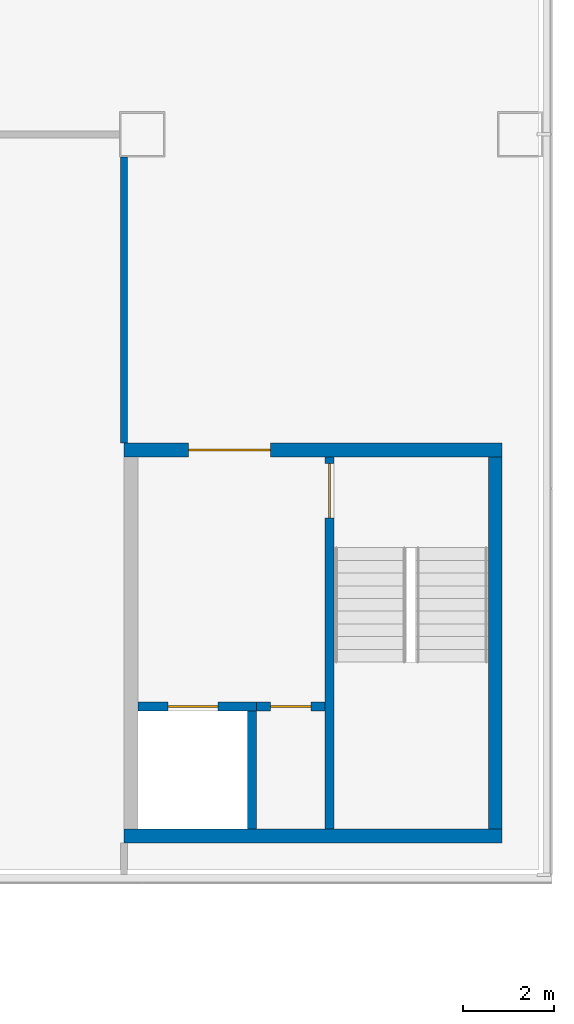
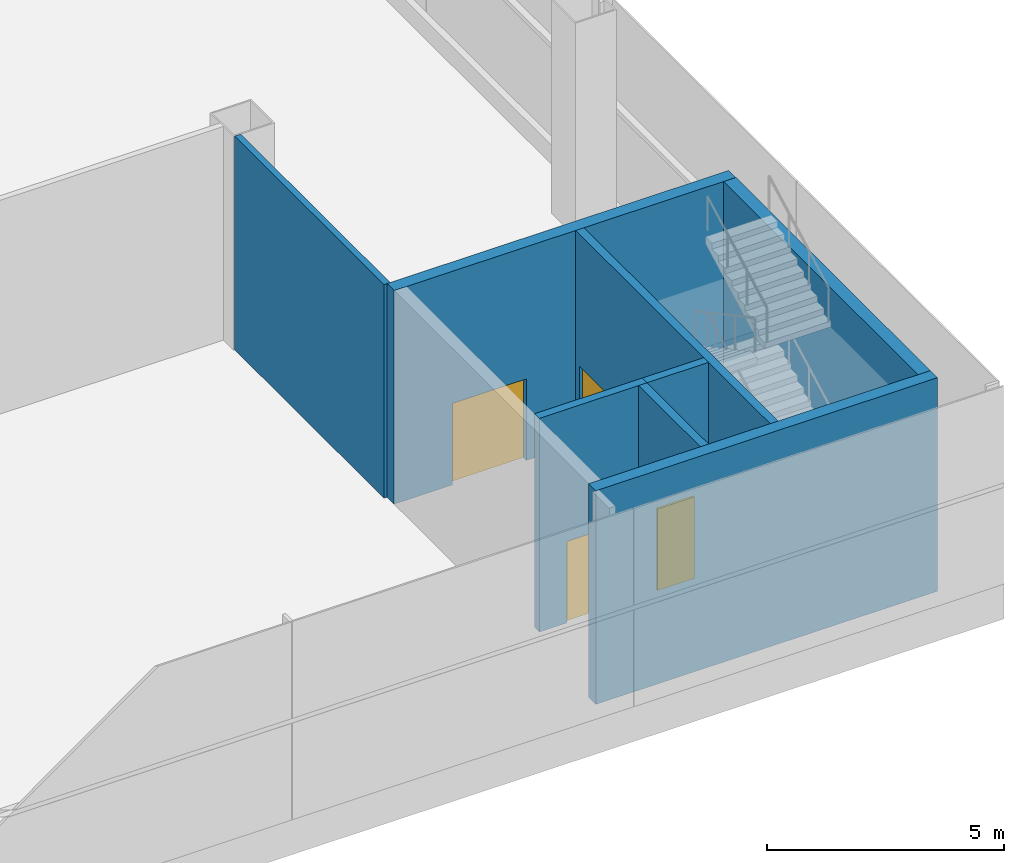
# One storey, part 39 of 100: 8 walls, 4 doors, 4 openings.
"""IFC4 building model written with IfcOpenShell, lengths in metres."""

from ifc_helpers import new_model, si_unit, direction, frame, frame_2d, origin, place, context, subcontext, project, spatial, rectangle, extrude, material, layer, layer_set, type_object, element, fill, save


model = new_model("IFC4")

# Units and contexts
model_context = context("Model", 3, precision=1e-05, world=origin(), true_north=direction((0.0, 1.0)))
body_context = subcontext(model_context, "Body", "Model", "MODEL_VIEW")
ifc_project = project(units=[si_unit("LENGTHUNIT", "METRE"), si_unit("AREAUNIT", "SQUARE_METRE"), si_unit("VOLUMEUNIT", "CUBIC_METRE"), si_unit("PLANEANGLEUNIT", "RADIAN"), si_unit("MASSUNIT", "GRAM", prefix="KILO")], contexts=[model_context])

# Site, building, storey
site_placement = place(None, origin())
site = spatial("IfcSite", under=ifc_project, at=site_placement, CompositionType="ELEMENT")
building_placement = place(site_placement, origin())
building = spatial("IfcBuilding", under=site, at=building_placement, Name="Hakoniwa Tower and Hamabe Station Hall", CompositionType="ELEMENT")
storey_placement = place(building_placement, frame((0.0, 0.0, 9.0)))
storey = spatial("IfcBuildingStorey", under=building, at=storey_placement, Name="L02", CompositionType="ELEMENT", Elevation=9.0)

# Wall, opening, door
ifc_material_1 = material(Name="Concrete block masonry fb10", Category="masonry")
ifc_layer_1 = layer(ifc_material_1, 0.199951171875)
ifc_layer_set_1 = layer_set([ifc_layer_1], Name="BLOCK WALL 200 EI 60")
wall_type_1 = type_object("IfcWallType", Name="BLOCK WALL 200 EI 60", PredefinedType="PARTITIONING", material=ifc_layer_set_1)
wall_1_placement = place(storey_placement, frame((164.85009765625, -20.39990234375, 0.0), z_axis=(0.0, 0.0, 1.0), x_axis=(-1.0, 0.0, 0.0)))
wall_1 = element("IfcWall", 1, at=wall_1_placement, inside=storey, type_object=wall_type_1, Name="Station riser room wall SC4 L02", PredefinedType="PARTITIONING", context=body_context, shape_type="SweptSolid", body=[
    extrude(rectangle(XDim=1.5, YDim=0.199951171875, at=frame_2d((0.75, 0.0))), origin(), (0.0, 0.0, 1.0), 5.5),
])
opening_1_placement = place(wall_1_placement, frame((0.300048828125, 0.0, 0.0)))
opening_1 = element("IfcOpeningElement", 2, at=opening_1_placement, cuts=wall_1, Name="Opening SD-L02-023", PredefinedType="OPENING", context=body_context, shape_type="SweptSolid", body=[
    extrude(rectangle(XDim=0.89990234375, YDim=2.10009765625, at=frame_2d((0.449951171875, 1.050048828125))), frame((0.0, 0.10986328125, 0.0), z_axis=(0.0, -1.0, 0.0), x_axis=(1.0, 0.0, 0.0)), (0.0, 0.0, 1.0), 0.219970703125),
])
ifc_material_2 = material(Name="Steel fire door", Category="steel")
door_type_1 = type_object("IfcDoorType", Name="FIRE DOOR 900X2100 FD30", OperationType="SINGLE_SWING_LEFT", PredefinedType="DOOR", material=ifc_material_2)
door_1_placement = place(opening_1_placement, origin())
door_1 = element("IfcDoor", 3, at=door_1_placement, inside=storey, type_object=door_type_1, Name="Door riser SC4", OperationType="SINGLE_SWING_LEFT", OverallHeight=2.10009765625, OverallWidth=0.89990234375, PredefinedType="DOOR", context=body_context, shape_type="SweptSolid", body=[
    extrude(rectangle(XDim=0.89990234375, YDim=2.10009765625, at=frame_2d((0.449951171875, 1.050048828125))), frame((0.0, 0.02490234375, 0.0), z_axis=(0.0, -1.0, 0.0), x_axis=(1.0, 0.0, 0.0)), (0.0, 0.0, 1.0), 0.050048828125),
])
fill(opening_1, door_1)

# Wall
ifc_material_3 = material(Name="Fire-rated gypsum board partition")
ifc_layer_2 = layer(ifc_material_3, 0.14990234375)
ifc_layer_set_2 = layer_set([ifc_layer_2], Name="FIRE PARTITION 150 EI 60")
wall_type_2 = type_object("IfcWallType", Name="FIRE PARTITION 150 EI 60", PredefinedType="PARTITIONING", material=ifc_layer_set_2)
wall_2_placement = place(storey_placement, frame((160.429931640625, -14.60009765625, 0.0), z_axis=(0.0, 0.0, 1.0), x_axis=(0.0, 1.0, 0.0)))
element("IfcWall", 4, at=wall_2_placement, inside=storey, type_object=wall_type_2, Name="Partition L02 16", PredefinedType="PARTITIONING", context=body_context, shape_type="SweptSolid", body=[
    extrude(rectangle(XDim=6.300048828125, YDim=0.14990234375, at=frame_2d((3.14990234375, 0.0))), origin(), (0.0, 0.0, 1.0), 5.5),
])

# Wall, opening, door
ifc_material_4 = material(Name="Concrete C60", Category="concrete")
ifc_layer_3 = layer(ifc_material_4, 0.199951171875)
ifc_layer_set_3 = layer_set([ifc_layer_3], Name="RC WALL 200 EI 120 C60")
wall_type_3 = type_object("IfcWallType", Name="RC WALL 200 EI 120 C60", PredefinedType="SHEAR", material=ifc_layer_set_3)
wall_3_placement = place(storey_placement, frame((164.949951171875, -23.10009765625, 0.0), z_axis=(0.0, 0.0, 1.0), x_axis=(0.0, 1.0, 0.0)))
wall_3 = element("IfcWall", 5, at=wall_3_placement, inside=storey, type_object=wall_type_3, Name="Station stair wall SC4 L02", PredefinedType="SHEAR", context=body_context, shape_type="SweptSolid", body=[
    extrude(rectangle(XDim=8.2001953125, YDim=0.199951171875, at=frame_2d((4.10009765625, 0.0))), origin(), (0.0, 0.0, 1.0), 5.5),
])
opening_2_placement = place(wall_3_placement, frame((6.85009765625, 0.0, 0.0)))
opening_2 = element("IfcOpeningElement", 6, at=opening_2_placement, cuts=wall_3, Name="Opening SD-L02-022", PredefinedType="OPENING", context=body_context, shape_type="SweptSolid", body=[
    extrude(rectangle(XDim=1.199951171875, YDim=2.10009765625, at=frame_2d((0.60009765625, 1.050048828125))), frame((0.0, 0.10986328125, 0.0), z_axis=(0.0, -1.0, 0.0), x_axis=(1.0, 0.0, 0.0)), (0.0, 0.0, 1.0), 0.219970703125),
])
ifc_material_5 = material(Name="Steel fire door", Category="steel")
door_type_2 = type_object("IfcDoorType", Name="FIRE DOOR 1200X2100 FD60", OperationType="SINGLE_SWING_LEFT", PredefinedType="DOOR", material=ifc_material_5)
door_2_placement = place(opening_2_placement, origin())
door_2 = element("IfcDoor", 7, at=door_2_placement, inside=storey, type_object=door_type_2, Name="Door escape stair SC4", OperationType="SINGLE_SWING_RIGHT", OverallHeight=2.10009765625, OverallWidth=1.199951171875, PredefinedType="DOOR", context=body_context, shape_type="SweptSolid", body=[
    extrude(rectangle(XDim=1.199951171875, YDim=2.10009765625, at=frame_2d((0.60009765625, 1.050048828125))), frame((0.0, 0.02490234375, 0.0), z_axis=(0.0, -1.0, 0.0), x_axis=(1.0, 0.0, 0.0)), (0.0, 0.0, 1.0), 0.050048828125),
])
fill(opening_2, door_2)

# Wall
ifc_material_6 = material(Name="Concrete C60", Category="concrete")
ifc_layer_4 = layer(ifc_material_6, 0.199951171875)
ifc_layer_set_4 = layer_set([ifc_layer_4], Name="RC WALL 200 EI 60 C60")
wall_type_4 = type_object("IfcWallType", Name="RC WALL 200 EI 60 C60", PredefinedType="SHEAR", material=ifc_layer_set_4)
wall_4_placement = place(storey_placement, frame((163.25, -23.10009765625, 0.0), z_axis=(0.0, 0.0, 1.0), x_axis=(0.0, 1.0, 0.0)))
element("IfcWall", 8, at=wall_4_placement, inside=storey, type_object=wall_type_4, Name="Station hoistway wall SC4 L02", PredefinedType="SHEAR", context=body_context, shape_type="SweptSolid", body=[
    extrude(rectangle(XDim=2.60009765625, YDim=0.199951171875, at=frame_2d((1.300048828125, 0.0))), origin(), (0.0, 0.0, 1.0), 5.5),
])

# Wall, opening, door
wall_5_placement = place(storey_placement, frame((163.35009765625, -20.39990234375, 0.0), z_axis=(0.0, 0.0, 1.0), x_axis=(-1.0, 0.0, 0.0)))
wall_5 = element("IfcWall", 9, at=wall_5_placement, inside=storey, type_object=wall_type_4, Name="Station hoistway front wall SC4 L02", PredefinedType="SHEAR", context=body_context, shape_type="SweptSolid", body=[
    extrude(rectangle(XDim=2.6201171875, YDim=0.199951171875, at=frame_2d((1.31005859375, 0.0))), origin(), (0.0, 0.0, 1.0), 5.5),
])
opening_3_placement = place(wall_5_placement, frame((0.85009765625, 0.0, 0.0)))
opening_3 = element("IfcOpeningElement", 10, at=opening_3_placement, cuts=wall_5, Name="Opening LD-SL4-L02", PredefinedType="OPENING", context=body_context, shape_type="SweptSolid", body=[
    extrude(rectangle(XDim=1.10009765625, YDim=2.10009765625, at=frame_2d((0.550048828125, 1.050048828125))), frame((0.0, 0.10986328125, 0.0), z_axis=(0.0, -1.0, 0.0), x_axis=(1.0, 0.0, 0.0)), (0.0, 0.0, 1.0), 0.219970703125),
])
ifc_material_7 = material(Name="Stainless steel SUS304", Category="steel")
door_type_3 = type_object("IfcDoorType", Name="LIFT LANDING DOOR 1100X2100", OperationType="DOUBLE_DOOR_SLIDING", PredefinedType="DOOR", material=ifc_material_7)
door_3_placement = place(opening_3_placement, origin())
door_3 = element("IfcDoor", 11, at=door_3_placement, inside=storey, type_object=door_type_3, Name="Lift landing door SL4 L02", OperationType="DOUBLE_DOOR_SLIDING", OverallHeight=2.10009765625, OverallWidth=1.10009765625, PredefinedType="DOOR", context=body_context, shape_type="SweptSolid", body=[
    extrude(rectangle(XDim=1.10009765625, YDim=2.10009765625, at=frame_2d((0.550048828125, 1.050048828125))), frame((0.0, 0.02490234375, 0.0), z_axis=(0.0, -1.0, 0.0), x_axis=(1.0, 0.0, 0.0)), (0.0, 0.0, 1.0), 0.050048828125),
])
fill(opening_3, door_3)

# Wall
ifc_material_8 = material(Name="Concrete C60", Category="concrete")
ifc_layer_5 = layer(ifc_material_8, 0.300048828125)
ifc_layer_set_5 = layer_set([ifc_layer_5], Name="RC WALL 300 EI 120 C60")
wall_type_5 = type_object("IfcWallType", Name="RC WALL 300 EI 120 C60", PredefinedType="SHEAR", material=ifc_layer_set_5)
wall_6_placement = place(storey_placement, frame((168.75, -23.25, 0.0), z_axis=(0.0, 0.0, 1.0), x_axis=(-1.0, 0.0, 0.0)))
element("IfcWall", 12, at=wall_6_placement, inside=storey, type_object=wall_type_5, Name="Station core wall SC4 outer-v L02", PredefinedType="SHEAR", context=body_context, shape_type="SweptSolid", body=[
    extrude(rectangle(XDim=8.320068359375, YDim=0.300048828125, at=frame_2d((4.16015625, 0.0))), origin(), (0.0, 0.0, 1.0), 5.5),
])

# Wall, opening, door
wall_7_placement = place(storey_placement, frame((168.75, -14.75, 0.0), z_axis=(0.0, 0.0, 1.0), x_axis=(-1.0, 0.0, 0.0)))
wall_7 = element("IfcWall", 13, at=wall_7_placement, inside=storey, type_object=wall_type_5, Name="Station core wall SC4 inner-v L02", PredefinedType="SHEAR", context=body_context, shape_type="SweptSolid", body=[
    extrude(rectangle(XDim=8.320068359375, YDim=0.300048828125, at=frame_2d((4.16015625, 0.0))), origin(), (0.0, 0.0, 1.0), 5.5),
])
opening_4_placement = place(wall_7_placement, frame((5.10009765625, 0.0, 0.0)))
opening_4 = element("IfcOpeningElement", 14, at=opening_4_placement, cuts=wall_7, Name="Opening SD-L02-021", PredefinedType="OPENING", context=body_context, shape_type="SweptSolid", body=[
    extrude(rectangle(XDim=1.800048828125, YDim=2.10009765625, at=frame_2d((0.89990234375, 1.050048828125))), frame((0.0, 0.159912109375, 0.0), z_axis=(0.0, -1.0, 0.0), x_axis=(1.0, 0.0, 0.0)), (0.0, 0.0, 1.0), 0.320068359375),
])
ifc_material_9 = material(Name="Steel fire door", Category="steel")
door_type_4 = type_object("IfcDoorType", Name="FIRE DOUBLE DOOR 1800X2100 FD60", OperationType="DOUBLE_DOOR_SINGLE_SWING", PredefinedType="DOOR", material=ifc_material_9)
door_4_placement = place(opening_4_placement, origin())
door_4 = element("IfcDoor", 15, at=door_4_placement, inside=storey, type_object=door_type_4, Name="Door lobby SC4", OperationType="DOUBLE_DOOR_SINGLE_SWING", OverallHeight=2.10009765625, OverallWidth=1.800048828125, PredefinedType="DOOR", context=body_context, shape_type="SweptSolid", body=[
    extrude(rectangle(XDim=1.800048828125, YDim=2.10009765625, at=frame_2d((0.89990234375, 1.050048828125))), frame((0.0, 0.02490234375, 0.0), z_axis=(0.0, -1.0, 0.0), x_axis=(1.0, 0.0, 0.0)), (0.0, 0.0, 1.0), 0.050048828125),
])
fill(opening_4, door_4)

# Wall
wall_8_placement = place(storey_placement, frame((168.60009765625, -23.10009765625, 0.0), z_axis=(0.0, 0.0, 1.0), x_axis=(0.0, 1.0, 0.0)))
element("IfcWall", 16, at=wall_8_placement, inside=storey, type_object=wall_type_5, Name="Station core wall SC4 outer-u L02", PredefinedType="SHEAR", context=body_context, shape_type="SweptSolid", body=[
    extrude(rectangle(XDim=8.2001953125, YDim=0.300048828125, at=frame_2d((4.10009765625, 0.0))), origin(), (0.0, 0.0, 1.0), 5.5),
])

save(model, "model.ifc")
